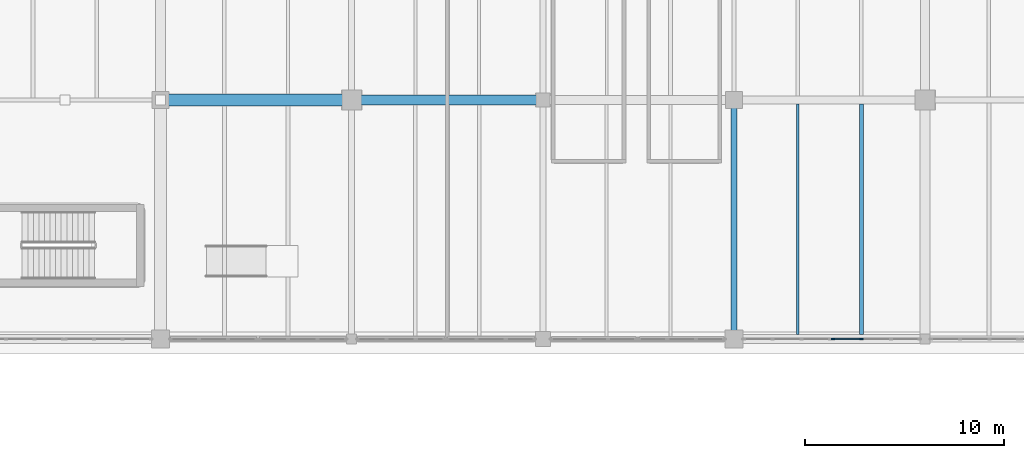
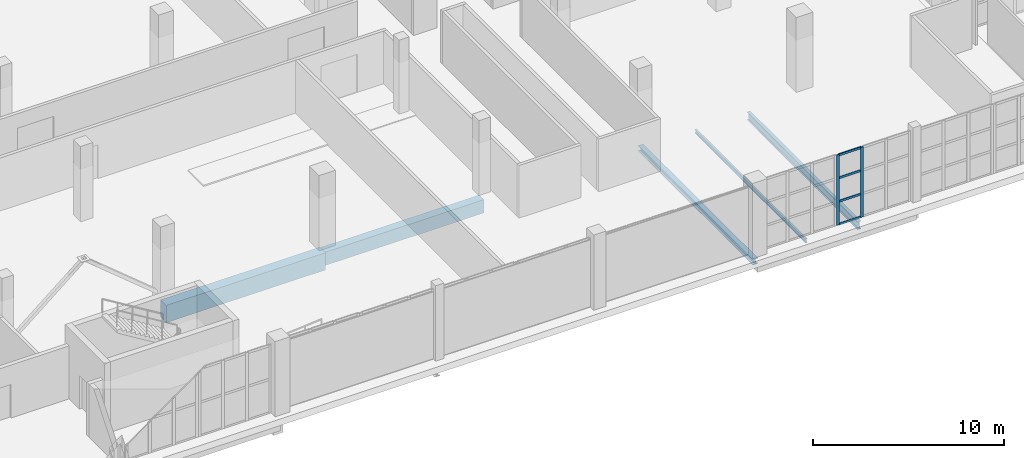
# One storey, part 20 of 121: 6 members, 5 beams, 1 element without a shape of its own.
"""IFC4 building model written with IfcOpenShell, lengths in metres."""

from ifc_helpers import new_model, si_unit, direction, frame, origin, origin_2d, place, context, subcontext, project, spatial, rectangle, i_section, extrude, material, layer, layer_set, material_profile, profile_set, type_object, element, aggregate, save


model = new_model("IFC4")

# Units and contexts
model_context = context("Model", 3, precision=1e-05, world=origin(), true_north=direction((0.0, 1.0)))
body_context = subcontext(model_context, "Body", "Model", "MODEL_VIEW")
ifc_project = project(units=[si_unit("LENGTHUNIT", "METRE"), si_unit("AREAUNIT", "SQUARE_METRE"), si_unit("VOLUMEUNIT", "CUBIC_METRE"), si_unit("PLANEANGLEUNIT", "RADIAN"), si_unit("MASSUNIT", "GRAM", prefix="KILO")], contexts=[model_context])

# Site, building, storey
site_placement = place(None, origin())
site = spatial("IfcSite", under=ifc_project, at=site_placement, CompositionType="ELEMENT")
building_placement = place(site_placement, origin())
building = spatial("IfcBuilding", under=site, at=building_placement, Name="Zereglee Splitstone Museum", CompositionType="ELEMENT")
storey_placement = place(building_placement, origin())
storey = spatial("IfcBuildingStorey", under=building, at=storey_placement, Name="L00", CompositionType="ELEMENT", Elevation=0.0)

# Beams
ifc_material_1 = material(Name="Concrete C40/50", Category="concrete")
ifc_material_profile_1 = material_profile(ifc_material_1, rectangle(XDim=0.5, YDim=0.85009765625, at=origin_2d()), Name="RC 500x850")
ifc_profile_set_1 = profile_set([ifc_material_profile_1], Name="Concrete C40/50")
beam_type_1 = type_object("IfcBeamType", Name="BG-02", PredefinedType="BEAM", material=ifc_profile_set_1)
beam_1_placement = place(storey_placement, frame((106.800048828125, 21.60009765625, -0.844970703125), z_axis=(1.0, 0.0, 0.0), x_axis=(0.0, 1.0, 0.0)))
element("IfcBeam", 1, at=beam_1_placement, inside=storey, type_object=beam_type_1, Name="Primary Girder L00 C (106.8-116.4)", PredefinedType="BEAM", context=body_context, shape_type="SweptSolid", body=[
    extrude(rectangle(XDim=0.5, YDim=0.85009765625, at=origin_2d()), origin(), (0.0, 0.0, 1.0), 9.599853515625),
])
ifc_material_profile_2 = material_profile(ifc_material_1, rectangle(XDim=0.60009765625, YDim=1.10009765625, at=origin_2d()), Name="RC 600x1100")
ifc_profile_set_2 = profile_set([ifc_material_profile_2], Name="Concrete C40/50")
beam_type_2 = type_object("IfcBeamType", Name="BG-01", PredefinedType="BEAM", material=ifc_profile_set_2)
beam_2_placement = place(storey_placement, frame((97.199951171875, 21.60009765625, -0.969970703125), z_axis=(1.0, 0.0, 0.0), x_axis=(0.0, 1.0, 0.0)))
element("IfcBeam", 2, at=beam_2_placement, inside=storey, type_object=beam_type_2, Name="Primary Girder L00 C (97.2-106.8)", PredefinedType="BEAM", context=body_context, shape_type="SweptSolid", body=[
    extrude(rectangle(XDim=0.60009765625, YDim=1.10009765625, at=origin_2d()), origin(), (0.0, 0.0, 1.0), 9.60009765625),
])

# Curtain wall, members
ifc_material_2 = material(Name="Triple-glazed low-E argon glass and bronze-anodised aluminium", Category="aluminium")
ifc_layer = layer(ifc_material_2, 0.179931640625)
ifc_layer_set = layer_set([ifc_layer], Name="Triple-glazed low-E argon glass and bronze-anodised aluminium")
curtain_wall_type = type_object("IfcCurtainWallType", Name="CW-0440-448", PredefinedType="USERDEFINED", material=ifc_layer_set)
curtain_wall_placement = place(storey_placement, origin())
curtain_wall = element("IfcCurtainWall", 3, at=curtain_wall_placement, inside=storey, type_object=curtain_wall_type, Name="Glazed Curtain Wall CW-0440-448 (L00)", ObjectType="GLAZED CURTAIN WALL", PredefinedType="USERDEFINED")
ifc_material_3 = material(Name="Thermally broken bronze-anodised aluminium", Category="aluminium")
ifc_material_profile_3 = material_profile(ifc_material_3, rectangle(XDim=0.06494140625, YDim=0.179931640625, at=origin_2d()), Name="CW MULL 65x180")
ifc_profile_set_3 = profile_set([ifc_material_profile_3], Name="Thermally broken bronze-anodised aluminium")
member_type_1 = type_object("IfcMemberType", Name="CWM-01", PredefinedType="MULLION", material=ifc_profile_set_3)
member_1_placement = place(storey_placement, frame((130.972412109375, 9.60009765625, 0.0), z_axis=(0.0, 0.0, 1.0), x_axis=(0.0, 1.0, 0.0)))
member_1 = element("IfcMember", 4, at=member_1_placement, type_object=member_type_1, Name="CW-0440-448 mullion 1", PredefinedType="MULLION", context=body_context, shape_type="SweptSolid", body=[
    extrude(rectangle(XDim=0.06494140625, YDim=0.179931640625, at=origin_2d()), origin(), (0.0, 0.0, 1.0), 4.47998046875),
])
member_2_placement = place(storey_placement, frame((132.4072265625, 9.60009765625, 0.0), z_axis=(0.0, 0.0, 1.0), x_axis=(0.0, 1.0, 0.0)))
member_2 = element("IfcMember", 5, at=member_2_placement, type_object=member_type_1, Name="CW-0440-448 mullion 2", PredefinedType="MULLION", context=body_context, shape_type="SweptSolid", body=[
    extrude(rectangle(XDim=0.06494140625, YDim=0.179931640625, at=origin_2d()), origin(), (0.0, 0.0, 1.0), 4.47998046875),
])
ifc_material_profile_4 = material_profile(ifc_material_3, rectangle(XDim=0.06494140625, YDim=0.139892578125, at=origin_2d()), Name="CW TRAN 65x140")
ifc_profile_set_4 = profile_set([ifc_material_profile_4], Name="Thermally broken bronze-anodised aluminium")
member_type_2 = type_object("IfcMemberType", Name="CWT-01", PredefinedType="USERDEFINED", material=ifc_profile_set_4)
member_3_placement = place(storey_placement, frame((131.0048828125, 9.60009765625, 0.032470703125), z_axis=(1.0, 0.0, 0.0), x_axis=(0.0, 1.0, 0.0)))
member_3 = element("IfcMember", 6, at=member_3_placement, type_object=member_type_2, Name="CW-0440-448 transom 1.1", ObjectType="TRANSOM", PredefinedType="USERDEFINED", context=body_context, shape_type="SweptSolid", body=[
    extrude(rectangle(XDim=0.06494140625, YDim=0.139892578125, at=origin_2d()), origin(), (0.0, 0.0, 1.0), 1.369873046875),
])
member_4_placement = place(storey_placement, frame((131.0048828125, 9.60009765625, 1.493408203125), z_axis=(1.0, 0.0, 0.0), x_axis=(0.0, 1.0, 0.0)))
member_4 = element("IfcMember", 7, at=member_4_placement, type_object=member_type_2, Name="CW-0440-448 transom 1.2", ObjectType="TRANSOM", PredefinedType="USERDEFINED", context=body_context, shape_type="SweptSolid", body=[
    extrude(rectangle(XDim=0.06494140625, YDim=0.139892578125, at=origin_2d()), origin(), (0.0, 0.0, 1.0), 1.369873046875),
])
member_5_placement = place(storey_placement, frame((131.0048828125, 9.60009765625, 2.98681640625), z_axis=(1.0, 0.0, 0.0), x_axis=(0.0, 1.0, 0.0)))
member_5 = element("IfcMember", 8, at=member_5_placement, type_object=member_type_2, Name="CW-0440-448 transom 1.3", ObjectType="TRANSOM", PredefinedType="USERDEFINED", context=body_context, shape_type="SweptSolid", body=[
    extrude(rectangle(XDim=0.06494140625, YDim=0.139892578125, at=origin_2d()), origin(), (0.0, 0.0, 1.0), 1.369873046875),
])
member_6_placement = place(storey_placement, frame((131.0048828125, 9.60009765625, 4.447509765625), z_axis=(1.0, 0.0, 0.0), x_axis=(0.0, 1.0, 0.0)))
member_6 = element("IfcMember", 9, at=member_6_placement, type_object=member_type_2, Name="CW-0440-448 transom 1.4", ObjectType="TRANSOM", PredefinedType="USERDEFINED", context=body_context, shape_type="SweptSolid", body=[
    extrude(rectangle(XDim=0.06494140625, YDim=0.139892578125, at=origin_2d()), origin(), (0.0, 0.0, 1.0), 1.369873046875),
])
aggregate(curtain_wall, [member_1, member_2, member_3, member_4, member_5, member_6])

# Beams
ifc_material_4 = material(Name="Steel S355J2", Category="steel")
ifc_material_profile_5 = material_profile(ifc_material_4, i_section(OverallWidth=0.300048828125, OverallDepth=0.360107421875, WebThickness=0.012451171875, FlangeThickness=0.0224609375, FilletRadius=0.027099609375, at=origin_2d()), Name="HE 360 B")
ifc_profile_set_5 = profile_set([ifc_material_profile_5], Name="Steel S355J2")
beam_type_3 = type_object("IfcBeamType", Name="BG-14", PredefinedType="BEAM", material=ifc_profile_set_5)
beam_3_placement = place(storey_placement, frame((126.0, 9.60009765625, -0.60009765625), z_axis=(0.0, 1.0, 0.0), x_axis=(-1.0, 0.0, 0.0)))
element("IfcBeam", 10, at=beam_3_placement, inside=storey, type_object=beam_type_3, Name="Primary Girder L00 15 (9.6-21.6)", PredefinedType="BEAM", context=body_context, shape_type="SweptSolid", body=[
    extrude(i_section(OverallWidth=0.300048828125, OverallDepth=0.360107421875, WebThickness=0.012451171875, FlangeThickness=0.0224609375, FilletRadius=0.027099609375, at=origin_2d()), origin(), (0.0, 0.0, 1.0), 12.0),
])
ifc_material_profile_6 = material_profile(ifc_material_4, i_section(OverallWidth=0.1201171875, OverallDepth=0.239990234375, WebThickness=0.006103515625, FlangeThickness=0.009765625, FilletRadius=0.014892578125, at=origin_2d()), Name="IPE 240")
ifc_profile_set_6 = profile_set([ifc_material_profile_6], Name="Steel S355J2")
beam_type_4 = type_object("IfcBeamType", Name="BJ-07", PredefinedType="JOIST", material=ifc_profile_set_6)
beam_4_placement = place(storey_placement, frame((129.199951171875, 9.824951171875, -0.5400390625), z_axis=(0.0, 1.0, 0.0), x_axis=(-1.0, 0.0, 0.0)))
element("IfcBeam", 11, at=beam_4_placement, inside=storey, type_object=beam_type_4, Name="Secondary Floor Joist L00-0286", PredefinedType="JOIST", context=body_context, shape_type="SweptSolid", body=[
    extrude(i_section(OverallWidth=0.1201171875, OverallDepth=0.239990234375, WebThickness=0.006103515625, FlangeThickness=0.009765625, FilletRadius=0.014892578125, at=origin_2d()), origin(), (0.0, 0.0, 1.0), 11.574951171875),
])
ifc_material_profile_7 = material_profile(ifc_material_4, i_section(OverallWidth=0.199951171875, OverallDepth=0.5, WebThickness=0.01025390625, FlangeThickness=0.01611328125, FilletRadius=0.02099609375, at=origin_2d()), Name="IPE 500")
ifc_profile_set_7 = profile_set([ifc_material_profile_7], Name="Steel S355J2")
beam_type_5 = type_object("IfcBeamType", Name="BJ-01", PredefinedType="JOIST", material=ifc_profile_set_7)
beam_5_placement = place(storey_placement, frame((132.39990234375, 9.824951171875, -0.669921875), z_axis=(0.0, 1.0, 0.0), x_axis=(-1.0, 0.0, 0.0)))
element("IfcBeam", 12, at=beam_5_placement, inside=storey, type_object=beam_type_5, Name="Secondary Floor Joist L00-0287", PredefinedType="JOIST", context=body_context, shape_type="SweptSolid", body=[
    extrude(i_section(OverallWidth=0.199951171875, OverallDepth=0.5, WebThickness=0.01025390625, FlangeThickness=0.01611328125, FilletRadius=0.02099609375, at=origin_2d()), origin(), (0.0, 0.0, 1.0), 11.574951171875),
])

save(model, "model.ifc")
